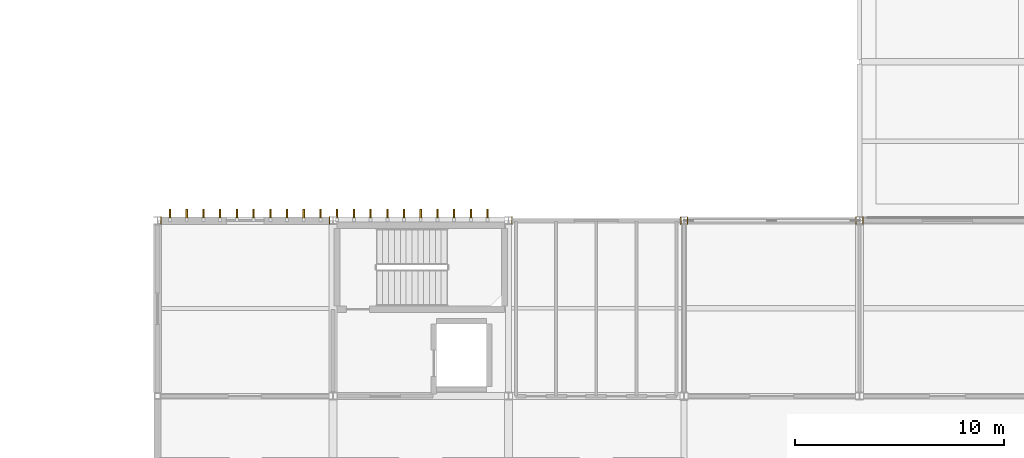
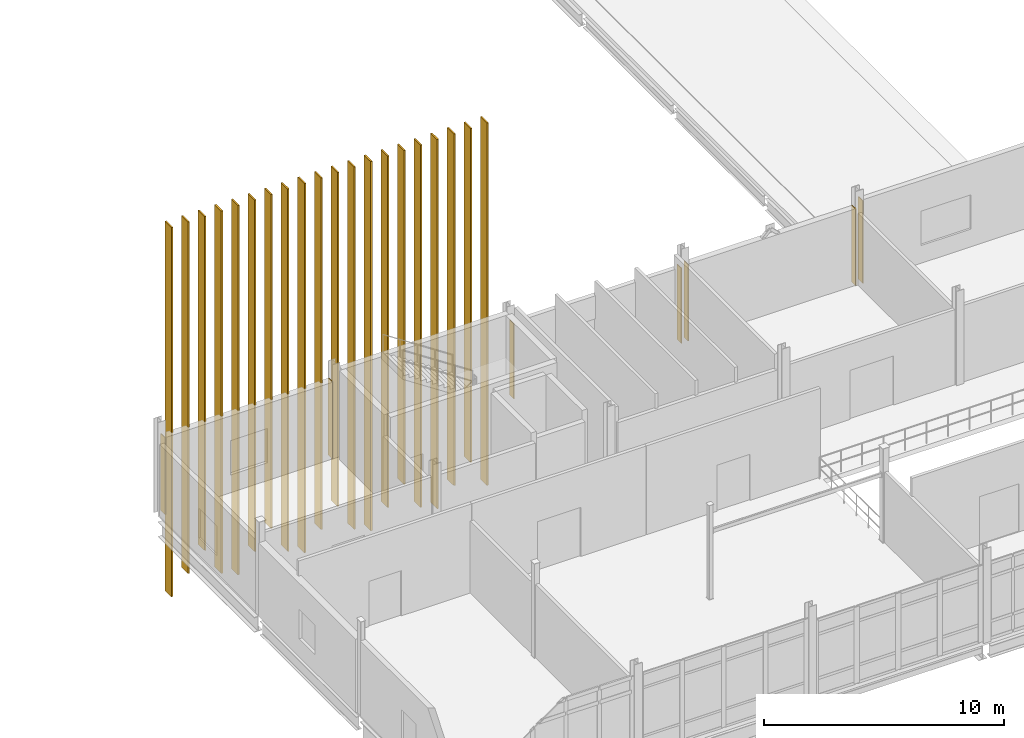
# One storey, part 61 of 72: 27 coverings.
"""IFC4 building model written with IfcOpenShell, lengths in metres."""

from ifc_helpers import new_model, si_unit, direction, frame, origin, origin_2d, place, context, subcontext, project, spatial, polyline, rectangle, outline, extrude, material, layer, layer_set, type_object, element, save


model = new_model("IFC4")

# Units and contexts
model_context = context("Model", 3, precision=1e-05, world=origin(), true_north=direction((0.0, 1.0)))
body_context = subcontext(model_context, "Body", "Model", "MODEL_VIEW")
ifc_project = project(units=[si_unit("LENGTHUNIT", "METRE"), si_unit("AREAUNIT", "SQUARE_METRE"), si_unit("VOLUMEUNIT", "CUBIC_METRE"), si_unit("PLANEANGLEUNIT", "RADIAN"), si_unit("MASSUNIT", "GRAM", prefix="KILO")], contexts=[model_context])

# Site, building, storey
site_placement = place(None, origin())
site = spatial("IfcSite", under=ifc_project, at=site_placement, CompositionType="ELEMENT")
building_placement = place(site_placement, origin())
building = spatial("IfcBuilding", under=site, at=building_placement, Name="Calvrana Isthmian Art Gallery", CompositionType="ELEMENT")
storey_placement = place(building_placement, frame((0.0, 0.0, 15.0)))
storey = spatial("IfcBuildingStorey", under=building, at=storey_placement, Name="L03", CompositionType="ELEMENT", Elevation=15.0)

# Coverings
ifc_material_1 = material(Name="Polychrome glazed terracotta", Category="masonry")
ifc_layer_1 = layer(ifc_material_1, 0.0400390625, Name="Polychrome glazed terracotta")
ifc_layer_set_1 = layer_set([ifc_layer_1], Name="Polychrome glazed terracotta")
covering_type_1 = type_object("IfcCoveringType", Name="COV-CLAD-TERRA", PredefinedType="CLADDING", material=ifc_layer_set_1)
covering_1_placement = place(storey_placement, origin())
element("IfcCovering", 1, at=covering_1_placement, inside=storey, type_object=covering_type_1, Name="Column pocket weather closure L03-03-06-W", PredefinedType="CLADDING", context=body_context, shape_type="SweptSolid", body=[
    extrude(outline(polyline([(21.74658203125, 46.618408203125), (21.78662109375, 46.618408203125), (21.78662109375, 46.9814453125), (21.74658203125, 46.9814453125), (21.74658203125, 46.618408203125)])), origin(), (0.0, 0.0, 1.0), 3.907958984375),
])
covering_2_placement = place(storey_placement, origin())
element("IfcCovering", 2, at=covering_2_placement, inside=storey, type_object=covering_type_1, Name="Column pocket weather closure L03-03-06-E", PredefinedType="CLADDING", context=body_context, shape_type="SweptSolid", body=[
    extrude(outline(polyline([(29.8134765625, 46.62109375), (29.853515625, 46.62109375), (29.853515625, 46.97900390625), (29.8134765625, 46.97900390625), (29.8134765625, 46.62109375)])), origin(), (0.0, 0.0, 1.0), 3.907958984375),
])
covering_3_placement = place(storey_placement, origin())
element("IfcCovering", 3, at=covering_3_placement, inside=storey, type_object=covering_type_1, Name="Column pocket weather closure L03-05-06-W", PredefinedType="CLADDING", context=body_context, shape_type="SweptSolid", body=[
    extrude(outline(polyline([(38.54541015625, 46.62353515625), (38.58544921875, 46.62353515625), (38.58544921875, 46.9765625), (38.54541015625, 46.9765625), (38.54541015625, 46.62353515625)])), origin(), (0.0, 0.0, 1.0), 3.826904296875),
])
covering_4_placement = place(storey_placement, origin())
element("IfcCovering", 4, at=covering_4_placement, inside=storey, type_object=covering_type_1, Name="Column pocket weather closure L03-05-06-E", PredefinedType="CLADDING", context=body_context, shape_type="SweptSolid", body=[
    extrude(outline(polyline([(46.615966796875, 46.626953125), (46.656005859375, 46.626953125), (46.656005859375, 46.972900390625), (46.615966796875, 46.972900390625), (46.615966796875, 46.626953125)])), origin(), (0.0, 0.0, 1.0), 3.826904296875),
])
covering_5_placement = place(storey_placement, origin())
element("IfcCovering", 5, at=covering_5_placement, inside=storey, type_object=covering_type_1, Name="Column pocket weather closure L03-06-06-W", PredefinedType="CLADDING", context=body_context, shape_type="SweptSolid", body=[
    extrude(outline(polyline([(46.944091796875, 46.626953125), (46.98388671875, 46.626953125), (46.98388671875, 46.972900390625), (46.944091796875, 46.972900390625), (46.944091796875, 46.626953125)])), origin(), (0.0, 0.0, 1.0), 3.89794921875),
])
covering_6_placement = place(storey_placement, origin())
element("IfcCovering", 6, at=covering_6_placement, inside=storey, type_object=covering_type_1, Name="Column pocket weather closure L03-06-06-E", PredefinedType="CLADDING", context=body_context, shape_type="SweptSolid", body=[
    extrude(outline(polyline([(55.013427734375, 46.618408203125), (55.053466796875, 46.618408203125), (55.053466796875, 46.9814453125), (55.013427734375, 46.9814453125), (55.013427734375, 46.618408203125)])), origin(), (0.0, 0.0, 1.0), 3.89794921875),
])
covering_7_placement = place(storey_placement, origin())
element("IfcCovering", 7, at=covering_7_placement, inside=storey, type_object=covering_type_1, Name="Column pocket weather closure L03-07-06-W", PredefinedType="CLADDING", context=body_context, shape_type="SweptSolid", body=[
    extrude(outline(polyline([(55.346435546875, 46.618408203125), (55.386474609375, 46.618408203125), (55.386474609375, 46.9814453125), (55.346435546875, 46.9814453125), (55.346435546875, 46.618408203125)])), origin(), (0.0, 0.0, 1.0), 4.215087890625),
])
ifc_material_2 = material(Name="Anodized bronze aluminium 6063-T6", Category="aluminium")
ifc_layer_2 = layer(ifc_material_2, 0.074951171875, Name="Anodized bronze aluminium 6063-T6")
ifc_layer_set_2 = layer_set([ifc_layer_2], Name="Anodized bronze aluminium 6063-T6")
covering_type_2 = type_object("IfcCoveringType", Name="COV-FIN-550", PredefinedType="CLADDING", material=ifc_layer_set_2)
covering_8_placement = place(storey_placement, frame((22.199951171875, 47.072998046875, -4.4501953125), z_axis=(0.0, 0.0, 1.0), x_axis=(1.0, 0.0, 0.0)))
element("IfcCovering", 8, at=covering_8_placement, inside=storey, type_object=covering_type_2, Name="Anodized bronze vertical solar fin FN-113", PredefinedType="CLADDING", context=body_context, shape_type="SweptSolid", body=[
    extrude(rectangle(XDim=0.074951171875, YDim=0.550048828125, at=origin_2d()), origin(), (0.0, 0.0, 1.0), 18.800048828125),
])
covering_9_placement = place(storey_placement, frame((23.0, 47.072998046875, -3.550048828125), z_axis=(0.0, 0.0, 1.0), x_axis=(1.0, 0.0, 0.0)))
element("IfcCovering", 9, at=covering_9_placement, inside=storey, type_object=covering_type_2, Name="Anodized bronze vertical solar fin FN-114", PredefinedType="CLADDING", context=body_context, shape_type="SweptSolid", body=[
    extrude(rectangle(XDim=0.074951171875, YDim=0.550048828125, at=origin_2d()), origin(), (0.0, 0.0, 1.0), 17.89990234375),
])
covering_10_placement = place(storey_placement, frame((23.800048828125, 47.072998046875, -2.64990234375), z_axis=(0.0, 0.0, 1.0), x_axis=(1.0, 0.0, 0.0)))
element("IfcCovering", 10, at=covering_10_placement, inside=storey, type_object=covering_type_2, Name="Anodized bronze vertical solar fin FN-115", PredefinedType="CLADDING", context=body_context, shape_type="SweptSolid", body=[
    extrude(rectangle(XDim=0.074951171875, YDim=0.550048828125, at=origin_2d()), origin(), (0.0, 0.0, 1.0), 17.0),
])
covering_11_placement = place(storey_placement, frame((24.60009765625, 47.072998046875, -4.10009765625), z_axis=(0.0, 0.0, 1.0), x_axis=(1.0, 0.0, 0.0)))
element("IfcCovering", 11, at=covering_11_placement, inside=storey, type_object=covering_type_2, Name="Anodized bronze vertical solar fin FN-116", PredefinedType="CLADDING", context=body_context, shape_type="SweptSolid", body=[
    extrude(rectangle(XDim=0.074951171875, YDim=0.550048828125, at=origin_2d()), origin(), (0.0, 0.0, 1.0), 18.449951171875),
])
covering_12_placement = place(storey_placement, frame((25.39990234375, 47.072998046875, -4.4501953125), z_axis=(0.0, 0.0, 1.0), x_axis=(1.0, 0.0, 0.0)))
element("IfcCovering", 12, at=covering_12_placement, inside=storey, type_object=covering_type_2, Name="Anodized bronze vertical solar fin FN-117", PredefinedType="CLADDING", context=body_context, shape_type="SweptSolid", body=[
    extrude(rectangle(XDim=0.074951171875, YDim=0.550048828125, at=origin_2d()), origin(), (0.0, 0.0, 1.0), 18.800048828125),
])
covering_13_placement = place(storey_placement, frame((26.199951171875, 47.072998046875, -3.550048828125), z_axis=(0.0, 0.0, 1.0), x_axis=(1.0, 0.0, 0.0)))
element("IfcCovering", 13, at=covering_13_placement, inside=storey, type_object=covering_type_2, Name="Anodized bronze vertical solar fin FN-118", PredefinedType="CLADDING", context=body_context, shape_type="SweptSolid", body=[
    extrude(rectangle(XDim=0.074951171875, YDim=0.550048828125, at=origin_2d()), origin(), (0.0, 0.0, 1.0), 17.89990234375),
])
covering_14_placement = place(storey_placement, frame((27.0, 47.072998046875, -2.64990234375), z_axis=(0.0, 0.0, 1.0), x_axis=(1.0, 0.0, 0.0)))
element("IfcCovering", 14, at=covering_14_placement, inside=storey, type_object=covering_type_2, Name="Anodized bronze vertical solar fin FN-119", PredefinedType="CLADDING", context=body_context, shape_type="SweptSolid", body=[
    extrude(rectangle(XDim=0.074951171875, YDim=0.550048828125, at=origin_2d()), origin(), (0.0, 0.0, 1.0), 17.0),
])
covering_15_placement = place(storey_placement, frame((27.800048828125, 47.072998046875, -4.10009765625), z_axis=(0.0, 0.0, 1.0), x_axis=(1.0, 0.0, 0.0)))
element("IfcCovering", 15, at=covering_15_placement, inside=storey, type_object=covering_type_2, Name="Anodized bronze vertical solar fin FN-120", PredefinedType="CLADDING", context=body_context, shape_type="SweptSolid", body=[
    extrude(rectangle(XDim=0.074951171875, YDim=0.550048828125, at=origin_2d()), origin(), (0.0, 0.0, 1.0), 18.449951171875),
])
covering_16_placement = place(storey_placement, frame((28.60009765625, 47.072998046875, -4.4501953125), z_axis=(0.0, 0.0, 1.0), x_axis=(1.0, 0.0, 0.0)))
element("IfcCovering", 16, at=covering_16_placement, inside=storey, type_object=covering_type_2, Name="Anodized bronze vertical solar fin FN-121", PredefinedType="CLADDING", context=body_context, shape_type="SweptSolid", body=[
    extrude(rectangle(XDim=0.074951171875, YDim=0.550048828125, at=origin_2d()), origin(), (0.0, 0.0, 1.0), 18.800048828125),
])
covering_17_placement = place(storey_placement, frame((29.39990234375, 47.072998046875, -3.550048828125), z_axis=(0.0, 0.0, 1.0), x_axis=(1.0, 0.0, 0.0)))
element("IfcCovering", 17, at=covering_17_placement, inside=storey, type_object=covering_type_2, Name="Anodized bronze vertical solar fin FN-122", PredefinedType="CLADDING", context=body_context, shape_type="SweptSolid", body=[
    extrude(rectangle(XDim=0.074951171875, YDim=0.550048828125, at=origin_2d()), origin(), (0.0, 0.0, 1.0), 17.89990234375),
])
covering_18_placement = place(storey_placement, frame((30.199951171875, 47.072998046875, -2.64990234375), z_axis=(0.0, 0.0, 1.0), x_axis=(1.0, 0.0, 0.0)))
element("IfcCovering", 18, at=covering_18_placement, inside=storey, type_object=covering_type_2, Name="Anodized bronze vertical solar fin FN-123", PredefinedType="CLADDING", context=body_context, shape_type="SweptSolid", body=[
    extrude(rectangle(XDim=0.074951171875, YDim=0.550048828125, at=origin_2d()), origin(), (0.0, 0.0, 1.0), 17.0),
])
covering_19_placement = place(storey_placement, frame((31.0, 47.072998046875, -4.10009765625), z_axis=(0.0, 0.0, 1.0), x_axis=(1.0, 0.0, 0.0)))
element("IfcCovering", 19, at=covering_19_placement, inside=storey, type_object=covering_type_2, Name="Anodized bronze vertical solar fin FN-124", PredefinedType="CLADDING", context=body_context, shape_type="SweptSolid", body=[
    extrude(rectangle(XDim=0.074951171875, YDim=0.550048828125, at=origin_2d()), origin(), (0.0, 0.0, 1.0), 18.449951171875),
])
covering_20_placement = place(storey_placement, frame((31.800048828125, 47.072998046875, -4.4501953125), z_axis=(0.0, 0.0, 1.0), x_axis=(1.0, 0.0, 0.0)))
element("IfcCovering", 20, at=covering_20_placement, inside=storey, type_object=covering_type_2, Name="Anodized bronze vertical solar fin FN-125", PredefinedType="CLADDING", context=body_context, shape_type="SweptSolid", body=[
    extrude(rectangle(XDim=0.074951171875, YDim=0.550048828125, at=origin_2d()), origin(), (0.0, 0.0, 1.0), 18.800048828125),
])
covering_21_placement = place(storey_placement, frame((32.60009765625, 47.072998046875, -3.550048828125), z_axis=(0.0, 0.0, 1.0), x_axis=(1.0, 0.0, 0.0)))
element("IfcCovering", 21, at=covering_21_placement, inside=storey, type_object=covering_type_2, Name="Anodized bronze vertical solar fin FN-126", PredefinedType="CLADDING", context=body_context, shape_type="SweptSolid", body=[
    extrude(rectangle(XDim=0.074951171875, YDim=0.550048828125, at=origin_2d()), origin(), (0.0, 0.0, 1.0), 17.89990234375),
])
covering_22_placement = place(storey_placement, frame((33.39990234375, 47.072998046875, -2.64990234375), z_axis=(0.0, 0.0, 1.0), x_axis=(1.0, 0.0, 0.0)))
element("IfcCovering", 22, at=covering_22_placement, inside=storey, type_object=covering_type_2, Name="Anodized bronze vertical solar fin FN-127", PredefinedType="CLADDING", context=body_context, shape_type="SweptSolid", body=[
    extrude(rectangle(XDim=0.074951171875, YDim=0.550048828125, at=origin_2d()), origin(), (0.0, 0.0, 1.0), 17.0),
])
covering_23_placement = place(storey_placement, frame((34.199951171875, 47.072998046875, -4.10009765625), z_axis=(0.0, 0.0, 1.0), x_axis=(1.0, 0.0, 0.0)))
element("IfcCovering", 23, at=covering_23_placement, inside=storey, type_object=covering_type_2, Name="Anodized bronze vertical solar fin FN-128", PredefinedType="CLADDING", context=body_context, shape_type="SweptSolid", body=[
    extrude(rectangle(XDim=0.074951171875, YDim=0.550048828125, at=origin_2d()), origin(), (0.0, 0.0, 1.0), 18.449951171875),
])
covering_24_placement = place(storey_placement, frame((35.0, 47.072998046875, -4.4501953125), z_axis=(0.0, 0.0, 1.0), x_axis=(1.0, 0.0, 0.0)))
element("IfcCovering", 24, at=covering_24_placement, inside=storey, type_object=covering_type_2, Name="Anodized bronze vertical solar fin FN-129", PredefinedType="CLADDING", context=body_context, shape_type="SweptSolid", body=[
    extrude(rectangle(XDim=0.074951171875, YDim=0.550048828125, at=origin_2d()), origin(), (0.0, 0.0, 1.0), 18.800048828125),
])
covering_25_placement = place(storey_placement, frame((35.800048828125, 47.072998046875, -3.550048828125), z_axis=(0.0, 0.0, 1.0), x_axis=(1.0, 0.0, 0.0)))
element("IfcCovering", 25, at=covering_25_placement, inside=storey, type_object=covering_type_2, Name="Anodized bronze vertical solar fin FN-130", PredefinedType="CLADDING", context=body_context, shape_type="SweptSolid", body=[
    extrude(rectangle(XDim=0.074951171875, YDim=0.550048828125, at=origin_2d()), origin(), (0.0, 0.0, 1.0), 17.89990234375),
])
covering_26_placement = place(storey_placement, frame((36.60009765625, 47.072998046875, -2.64990234375), z_axis=(0.0, 0.0, 1.0), x_axis=(1.0, 0.0, 0.0)))
element("IfcCovering", 26, at=covering_26_placement, inside=storey, type_object=covering_type_2, Name="Anodized bronze vertical solar fin FN-131", PredefinedType="CLADDING", context=body_context, shape_type="SweptSolid", body=[
    extrude(rectangle(XDim=0.074951171875, YDim=0.550048828125, at=origin_2d()), origin(), (0.0, 0.0, 1.0), 17.0),
])
covering_27_placement = place(storey_placement, frame((37.39990234375, 47.072998046875, -4.10009765625), z_axis=(0.0, 0.0, 1.0), x_axis=(1.0, 0.0, 0.0)))
element("IfcCovering", 27, at=covering_27_placement, inside=storey, type_object=covering_type_2, Name="Anodized bronze vertical solar fin FN-132", PredefinedType="CLADDING", context=body_context, shape_type="SweptSolid", body=[
    extrude(rectangle(XDim=0.074951171875, YDim=0.550048828125, at=origin_2d()), origin(), (0.0, 0.0, 1.0), 18.449951171875),
])

save(model, "model.ifc")
